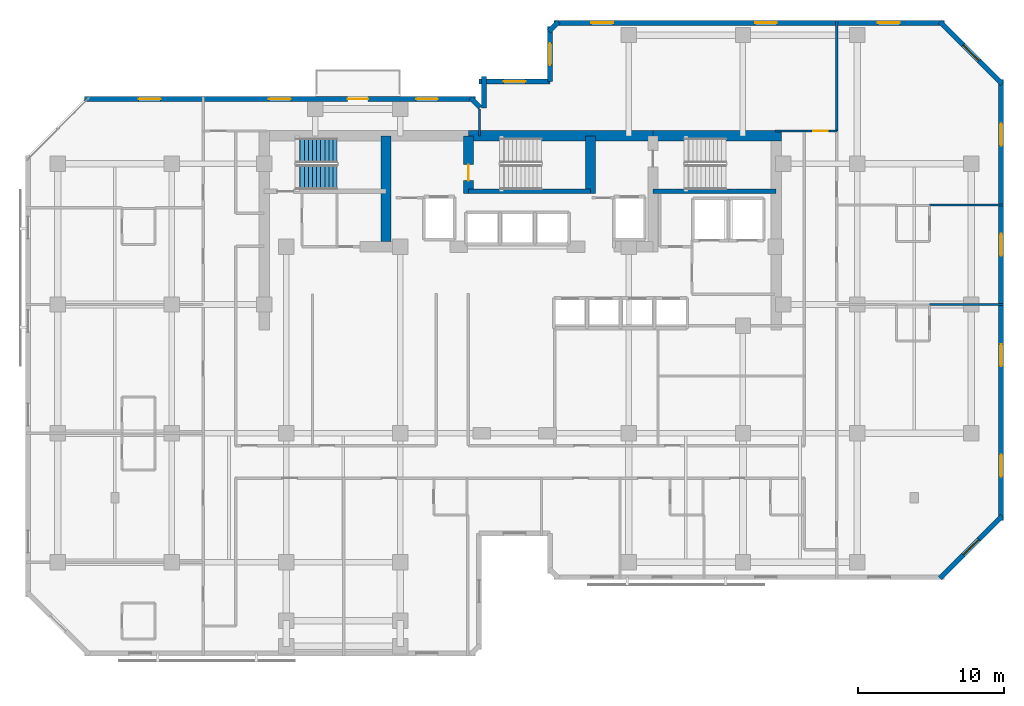
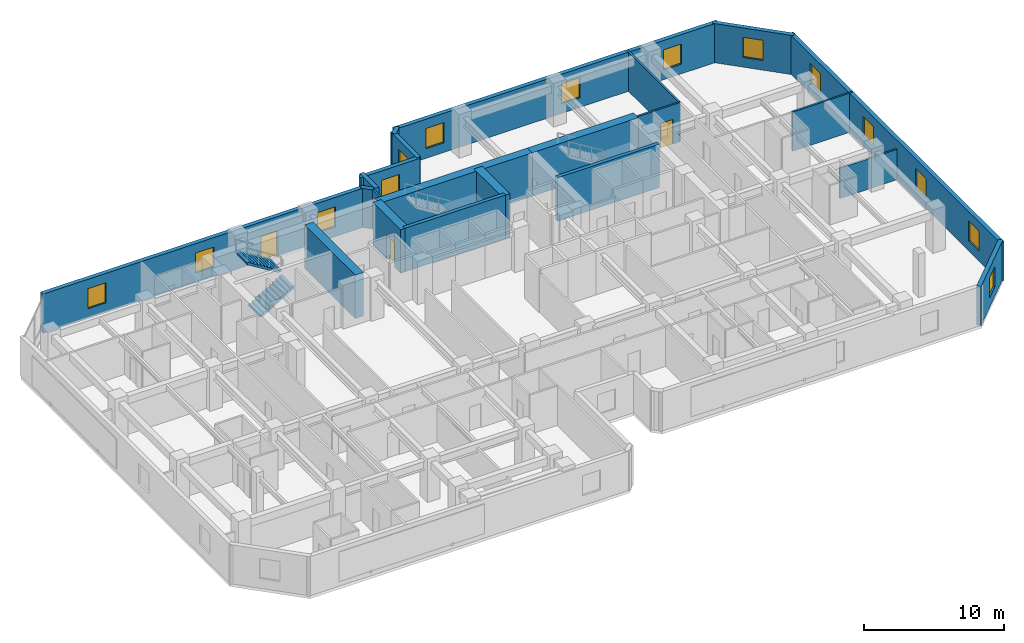
# One storey, part 8 of 11: 22 walls, 14 windows, 3 doors, 2 stair flights, 17 openings, 1 element without a shape of its own.
"""IFC4 building model written with IfcOpenShell, lengths in metres."""

from ifc_helpers import new_model, si_unit, direction, frame, frame_2d, origin, place, context, subcontext, project, spatial, polyline, rectangle, outline, extrude, material, layer, layer_set, type_object, element, fill, aggregate, save


model = new_model("IFC4")

# Units and contexts
model_context = context("Model", 3, precision=1e-05, world=origin(), true_north=direction((0.0, 1.0)))
body_context = subcontext(model_context, "Body", "Model", "MODEL_VIEW")
ifc_project = project(units=[si_unit("LENGTHUNIT", "METRE"), si_unit("AREAUNIT", "SQUARE_METRE"), si_unit("VOLUMEUNIT", "CUBIC_METRE"), si_unit("PLANEANGLEUNIT", "RADIAN"), si_unit("MASSUNIT", "GRAM", prefix="KILO")], contexts=[model_context])

# Site, building, storey
site_placement = place(None, origin())
site = spatial("IfcSite", under=ifc_project, at=site_placement, CompositionType="ELEMENT")
building_placement = place(site_placement, origin())
building = spatial("IfcBuilding", under=site, at=building_placement, Name="Kestravale Grand Hotel", CompositionType="ELEMENT")
storey_placement = place(building_placement, frame((0.0, 0.0, 180.199951171875)))
storey = spatial("IfcBuildingStorey", under=building, at=storey_placement, Name="L45", CompositionType="ELEMENT", Elevation=180.199951171875)

# Walls
ifc_material_1 = material(Name="Concrete f'c 60 MPa", Category="concrete")
ifc_layer_1 = layer(ifc_material_1, 0.699951171875)
ifc_layer_set_1 = layer_set([ifc_layer_1], Name="EW-CORE-700")
wall_type_1 = type_object("IfcWallType", Name="EW-CORE-700", PredefinedType="SHEAR", material=ifc_layer_set_1)
wall_1_placement = place(storey_placement, frame((35.85009765625, 40.320068359375, 0.0), z_axis=(0.0, 0.0, 1.0), x_axis=(1.0, 0.0, 0.0)))
element("IfcWall", 1, at=wall_1_placement, inside=storey, type_object=wall_type_1, Name="L45 core shear wall N2", PredefinedType="SHEAR", context=body_context, shape_type="SweptSolid", body=[
    extrude(rectangle(XDim=12.599853515625, YDim=0.699951171875, at=frame_2d((6.2998046875, 0.0))), origin(), (0.0, 0.0, 1.0), 3.800048828125),
])
wall_2_placement = place(storey_placement, frame((48.449951171875, 40.320068359375, 0.0), z_axis=(0.0, 0.0, 1.0), x_axis=(1.0, 0.0, 0.0)))
element("IfcWall", 2, at=wall_2_placement, inside=storey, type_object=wall_type_1, Name="L45 core shear wall N3", PredefinedType="SHEAR", context=body_context, shape_type="SweptSolid", body=[
    extrude(rectangle(XDim=8.77001953125, YDim=0.699951171875, at=frame_2d((4.385009765625, 0.0))), origin(), (0.0, 0.0, 1.0), 3.800048828125),
])
wall_3_placement = place(storey_placement, frame((30.219970703125, 33.10009765625, 0.0), z_axis=(0.0, 0.0, 1.0), x_axis=(0.0, 1.0, 0.0)))
element("IfcWall", 3, at=wall_3_placement, inside=storey, type_object=wall_type_1, Name="L45 core shear wall X1", PredefinedType="SHEAR", context=body_context, shape_type="SweptSolid", body=[
    extrude(rectangle(XDim=7.219970703125, YDim=0.699951171875, at=frame_2d((3.60986328125, 0.0))), origin(), (0.0, 0.0, 1.0), 3.800048828125),
])

# Wall, opening, door
wall_4_placement = place(storey_placement, frame((35.85009765625, 36.3701171875, 0.0), z_axis=(0.0, 0.0, 1.0), x_axis=(0.0, 1.0, 0.0)))
wall_4 = element("IfcWall", 4, at=wall_4_placement, inside=storey, type_object=wall_type_1, Name="L45 core shear wall X2", PredefinedType="SHEAR", context=body_context, shape_type="SweptSolid", body=[
    extrude(rectangle(XDim=3.949951171875, YDim=0.699951171875, at=frame_2d((1.97509765625, 0.0))), origin(), (0.0, 0.0, 1.0), 3.800048828125),
])
opening_1_placement = place(wall_4_placement, frame((0.8798828125, 0.0, 0.0)))
opening_1 = element("IfcOpeningElement", 5, at=opening_1_placement, cuts=wall_4, Name="Opening D-ST-1100", PredefinedType="OPENING", context=body_context, shape_type="SweptSolid", body=[
    extrude(rectangle(XDim=1.10009765625, YDim=2.14990234375, at=frame_2d((0.550048828125, 1.074951171875))), frame((0.0, 0.35986328125, 0.0), z_axis=(0.0, -1.0, 0.0), x_axis=(1.0, 0.0, 0.0)), (0.0, 0.0, 1.0), 0.719970703125),
])
ifc_material_2 = material(Name="Galvanised 90-minute fire-rated steel stair door", Category="steel")
door_type_1 = type_object("IfcDoorType", Name="D-ST-1100", OperationType="NOTDEFINED", PredefinedType="DOOR", material=ifc_material_2)
door_1_placement = place(opening_1_placement, origin())
door_1 = element("IfcDoor", 6, at=door_1_placement, inside=storey, type_object=door_type_1, Name="L45 Stair ST-2 FSAE fire door", OperationType="SINGLE_SWING_RIGHT", OverallHeight=2.14990234375, OverallWidth=1.10009765625, PredefinedType="DOOR", context=body_context, shape_type="SweptSolid", body=[
    extrude(rectangle(XDim=1.10009765625, YDim=2.14990234375, at=frame_2d((0.550048828125, 1.074951171875))), frame((0.0, 0.02490234375, 0.0), z_axis=(0.0, -1.0, 0.0), x_axis=(1.0, 0.0, 0.0)), (0.0, 0.0, 1.0), 0.050048828125),
])
fill(opening_1, door_1)

# Wall
wall_5_placement = place(storey_placement, frame((44.179931640625, 36.3701171875, 0.0), z_axis=(0.0, 0.0, 1.0), x_axis=(0.0, 1.0, 0.0)))
element("IfcWall", 7, at=wall_5_placement, inside=storey, type_object=wall_type_1, Name="L45 core shear wall X3", PredefinedType="SHEAR", context=body_context, shape_type="SweptSolid", body=[
    extrude(rectangle(XDim=3.949951171875, YDim=0.699951171875, at=frame_2d((1.97509765625, 0.0))), origin(), (0.0, 0.0, 1.0), 3.800048828125),
])

# Wall, opening, window
ifc_material_3 = material(Name="Precast concrete f'c 45 MPa", Category="concrete")
ifc_layer_2 = layer(ifc_material_3, 0.340087890625)
ifc_layer_set_2 = layer_set([ifc_layer_2], Name="EW-PREC-340")
wall_type_2 = type_object("IfcWallType", Name="EW-PREC-340", PredefinedType="SOLIDWALL", material=ifc_layer_set_2)
wall_6_placement = place(storey_placement, frame((68.051513671875, 10.091796875, 0.0), z_axis=(0.0, 0.0, 1.0), x_axis=(0.707106781187, 0.707106781187, 0.0)))
wall_6 = element("IfcWall", 8, at=wall_6_placement, inside=storey, type_object=wall_type_2, Name="L45 fluted precast facade wall 8", PredefinedType="SOLIDWALL", context=body_context, shape_type="SweptSolid", body=[
    extrude(rectangle(XDim=6.019775390625, YDim=0.340087890625, at=frame_2d((3.009765625, 0.0))), origin(), (0.0, 0.0, 1.0), 3.420166015625),
])
opening_2_placement = place(wall_6_placement, frame((2.260009765625, 0.0, 0.85009765625)))
opening_2 = element("IfcOpeningElement", 9, at=opening_2_placement, cuts=wall_6, Name="Opening W-GUEST-1500", PredefinedType="OPENING", context=body_context, shape_type="SweptSolid", body=[
    extrude(rectangle(XDim=1.5, YDim=1.75, at=frame_2d((0.75, 0.875))), frame((0.0, 0.179931640625, 0.0), z_axis=(0.0, -1.0, 0.0), x_axis=(1.0, 0.0, 0.0)), (0.0, 0.0, 1.0), 0.360107421875),
])
ifc_material_4 = material(Name="Insulated low-E double glazing in aluminium frame", Category="aluminium")
window_type = type_object("IfcWindowType", Name="W-GUEST-1500", PartitioningType="SINGLE_PANEL", PredefinedType="WINDOW", material=ifc_material_4)
window_1_placement = place(opening_2_placement, origin())
window_1 = element("IfcWindow", 10, at=window_1_placement, inside=storey, type_object=window_type, Name="L45 exterior window 8.1", OverallHeight=1.75, OverallWidth=1.5, PartitioningType="SINGLE_PANEL", PredefinedType="WINDOW", context=body_context, shape_type="SweptSolid", body=[
    extrude(rectangle(XDim=1.5, YDim=1.75, at=frame_2d((0.75, 0.875))), frame((0.0, 0.030029296875, 0.0), z_axis=(0.0, -1.0, 0.0), x_axis=(1.0, 0.0, 0.0)), (0.0, 0.0, 1.0), 0.06005859375),
])
fill(opening_2, window_1)

# Wall, openings, windows
wall_7_placement = place(storey_placement, frame((72.22998046875, 14.030029296875, 0.0), z_axis=(0.0, 0.0, 1.0), x_axis=(0.0, 1.0, 0.0)))
wall_7 = element("IfcWall", 11, at=wall_7_placement, inside=storey, type_object=wall_type_2, Name="L45 fluted precast facade wall 9", PredefinedType="SOLIDWALL", context=body_context, shape_type="SweptSolid", body=[
    extrude(rectangle(XDim=30.139892578125, YDim=0.340087890625, at=frame_2d((15.06982421875, 0.0))), origin(), (0.0, 0.0, 1.0), 3.420166015625),
])
opening_3_placement = place(wall_7_placement, frame((3.017578125, 0.0, 0.85009765625)))
opening_3 = element("IfcOpeningElement", 12, at=opening_3_placement, cuts=wall_7, Name="Opening W-GUEST-1500", PredefinedType="OPENING", context=body_context, shape_type="SweptSolid", body=[
    extrude(rectangle(XDim=1.5, YDim=1.75, at=frame_2d((0.75, 0.875))), frame((0.0, 0.179931640625, 0.0), z_axis=(0.0, -1.0, 0.0), x_axis=(1.0, 0.0, 0.0)), (0.0, 0.0, 1.0), 0.360107421875),
])
opening_4_placement = place(wall_7_placement, frame((10.552490234375, 0.0, 0.85009765625)))
opening_4 = element("IfcOpeningElement", 13, at=opening_4_placement, cuts=wall_7, Name="Opening W-GUEST-1500", PredefinedType="OPENING", context=body_context, shape_type="SweptSolid", body=[
    extrude(rectangle(XDim=1.5, YDim=1.75, at=frame_2d((0.75, 0.875))), frame((0.0, 0.179931640625, 0.0), z_axis=(0.0, -1.0, 0.0), x_axis=(1.0, 0.0, 0.0)), (0.0, 0.0, 1.0), 0.360107421875),
])
opening_5_placement = place(wall_7_placement, frame((18.08740234375, 0.0, 0.85009765625)))
opening_5 = element("IfcOpeningElement", 14, at=opening_5_placement, cuts=wall_7, Name="Opening W-GUEST-1500", PredefinedType="OPENING", context=body_context, shape_type="SweptSolid", body=[
    extrude(rectangle(XDim=1.5, YDim=1.75, at=frame_2d((0.75, 0.875))), frame((0.0, 0.179931640625, 0.0), z_axis=(0.0, -1.0, 0.0), x_axis=(1.0, 0.0, 0.0)), (0.0, 0.0, 1.0), 0.360107421875),
])
opening_6_placement = place(wall_7_placement, frame((25.62255859375, 0.0, 0.85009765625)))
opening_6 = element("IfcOpeningElement", 15, at=opening_6_placement, cuts=wall_7, Name="Opening W-GUEST-1500", PredefinedType="OPENING", context=body_context, shape_type="SweptSolid", body=[
    extrude(rectangle(XDim=1.5, YDim=1.75, at=frame_2d((0.75, 0.875))), frame((0.0, 0.179931640625, 0.0), z_axis=(0.0, -1.0, 0.0), x_axis=(1.0, 0.0, 0.0)), (0.0, 0.0, 1.0), 0.360107421875),
])
window_2_placement = place(opening_3_placement, origin())
window_2 = element("IfcWindow", 16, at=window_2_placement, inside=storey, type_object=window_type, Name="L45 exterior window 9.1", OverallHeight=1.75, OverallWidth=1.5, PartitioningType="SINGLE_PANEL", PredefinedType="WINDOW", context=body_context, shape_type="SweptSolid", body=[
    extrude(rectangle(XDim=1.5, YDim=1.75, at=frame_2d((0.75, 0.875))), frame((0.0, 0.030029296875, 0.0), z_axis=(0.0, -1.0, 0.0), x_axis=(1.0, 0.0, 0.0)), (0.0, 0.0, 1.0), 0.06005859375),
])
fill(opening_3, window_2)
window_3_placement = place(opening_4_placement, origin())
window_3 = element("IfcWindow", 17, at=window_3_placement, inside=storey, type_object=window_type, Name="L45 exterior window 9.2", OverallHeight=1.75, OverallWidth=1.5, PartitioningType="SINGLE_PANEL", PredefinedType="WINDOW", context=body_context, shape_type="SweptSolid", body=[
    extrude(rectangle(XDim=1.5, YDim=1.75, at=frame_2d((0.75, 0.875))), frame((0.0, 0.030029296875, 0.0), z_axis=(0.0, -1.0, 0.0), x_axis=(1.0, 0.0, 0.0)), (0.0, 0.0, 1.0), 0.06005859375),
])
fill(opening_4, window_3)
window_4_placement = place(opening_5_placement, origin())
window_4 = element("IfcWindow", 18, at=window_4_placement, inside=storey, type_object=window_type, Name="L45 exterior window 9.3", OverallHeight=1.75, OverallWidth=1.5, PartitioningType="SINGLE_PANEL", PredefinedType="WINDOW", context=body_context, shape_type="SweptSolid", body=[
    extrude(rectangle(XDim=1.5, YDim=1.75, at=frame_2d((0.75, 0.875))), frame((0.0, 0.030029296875, 0.0), z_axis=(0.0, -1.0, 0.0), x_axis=(1.0, 0.0, 0.0)), (0.0, 0.0, 1.0), 0.06005859375),
])
fill(opening_5, window_4)
window_5_placement = place(opening_6_placement, origin())
window_5 = element("IfcWindow", 19, at=window_5_placement, inside=storey, type_object=window_type, Name="L45 exterior window 9.4", OverallHeight=1.75, OverallWidth=1.5, PartitioningType="SINGLE_PANEL", PredefinedType="WINDOW", context=body_context, shape_type="SweptSolid", body=[
    extrude(rectangle(XDim=1.5, YDim=1.75, at=frame_2d((0.75, 0.875))), frame((0.0, 0.030029296875, 0.0), z_axis=(0.0, -1.0, 0.0), x_axis=(1.0, 0.0, 0.0)), (0.0, 0.0, 1.0), 0.06005859375),
])
fill(opening_6, window_5)

# Wall, opening, window
wall_8_placement = place(storey_placement, frame((72.30810546875, 43.8515625, 0.0), z_axis=(0.0, 0.0, 1.0), x_axis=(-0.707106781187, 0.707106781187, 0.0)))
wall_8 = element("IfcWall", 20, at=wall_8_placement, inside=storey, type_object=wall_type_2, Name="L45 fluted precast facade wall 10", PredefinedType="SOLIDWALL", context=body_context, shape_type="SweptSolid", body=[
    extrude(rectangle(XDim=6.019775390625, YDim=0.340087890625, at=frame_2d((3.009765625, 0.0))), origin(), (0.0, 0.0, 1.0), 3.420166015625),
])
opening_7_placement = place(wall_8_placement, frame((2.260009765625, 0.0, 0.85009765625)))
opening_7 = element("IfcOpeningElement", 21, at=opening_7_placement, cuts=wall_8, Name="Opening W-GUEST-1500", PredefinedType="OPENING", context=body_context, shape_type="SweptSolid", body=[
    extrude(rectangle(XDim=1.5, YDim=1.75, at=frame_2d((0.75, 0.875))), frame((0.0, 0.179931640625, 0.0), z_axis=(0.0, -1.0, 0.0), x_axis=(1.0, 0.0, 0.0)), (0.0, 0.0, 1.0), 0.360107421875),
])
window_6_placement = place(opening_7_placement, origin())
window_6 = element("IfcWindow", 22, at=window_6_placement, inside=storey, type_object=window_type, Name="L45 exterior window 10.1", OverallHeight=1.75, OverallWidth=1.5, PartitioningType="SINGLE_PANEL", PredefinedType="WINDOW", context=body_context, shape_type="SweptSolid", body=[
    extrude(rectangle(XDim=1.5, YDim=1.75, at=frame_2d((0.75, 0.875))), frame((0.0, 0.030029296875, 0.0), z_axis=(0.0, -1.0, 0.0), x_axis=(1.0, 0.0, 0.0)), (0.0, 0.0, 1.0), 0.06005859375),
])
fill(opening_7, window_6)

# Wall, openings, windows
wall_9_placement = place(storey_placement, frame((68.3701171875, 48.030029296875, 0.0), z_axis=(0.0, 0.0, 1.0), x_axis=(-1.0, 0.0, 0.0)))
wall_9 = element("IfcWall", 23, at=wall_9_placement, inside=storey, type_object=wall_type_2, Name="L45 fluted precast facade wall 11", PredefinedType="SOLIDWALL", context=body_context, shape_type="SweptSolid", body=[
    extrude(rectangle(XDim=26.690185546875, YDim=0.340087890625, at=frame_2d((13.34521484375, 0.0))), origin(), (0.0, 0.0, 1.0), 3.420166015625),
])
opening_8_placement = place(wall_9_placement, frame((3.04833984375, 0.0, 0.85009765625)))
opening_8 = element("IfcOpeningElement", 24, at=opening_8_placement, cuts=wall_9, Name="Opening W-GUEST-1500", PredefinedType="OPENING", context=body_context, shape_type="SweptSolid", body=[
    extrude(rectangle(XDim=1.5, YDim=1.75, at=frame_2d((0.75, 0.875))), frame((0.0, 0.179931640625, 0.0), z_axis=(0.0, -1.0, 0.0), x_axis=(1.0, 0.0, 0.0)), (0.0, 0.0, 1.0), 0.360107421875),
])
opening_9_placement = place(wall_9_placement, frame((11.445068359375, 0.0, 0.85009765625)))
opening_9 = element("IfcOpeningElement", 25, at=opening_9_placement, cuts=wall_9, Name="Opening W-GUEST-1500", PredefinedType="OPENING", context=body_context, shape_type="SweptSolid", body=[
    extrude(rectangle(XDim=1.5, YDim=1.75, at=frame_2d((0.75, 0.875))), frame((0.0, 0.179931640625, 0.0), z_axis=(0.0, -1.0, 0.0), x_axis=(1.0, 0.0, 0.0)), (0.0, 0.0, 1.0), 0.360107421875),
])
opening_10_placement = place(wall_9_placement, frame((22.6416015625, 0.0, 0.85009765625)))
opening_10 = element("IfcOpeningElement", 26, at=opening_10_placement, cuts=wall_9, Name="Opening W-GUEST-1500", PredefinedType="OPENING", context=body_context, shape_type="SweptSolid", body=[
    extrude(rectangle(XDim=1.5, YDim=1.75, at=frame_2d((0.75, 0.875))), frame((0.0, 0.179931640625, 0.0), z_axis=(0.0, -1.0, 0.0), x_axis=(1.0, 0.0, 0.0)), (0.0, 0.0, 1.0), 0.360107421875),
])
window_7_placement = place(opening_8_placement, origin())
window_7 = element("IfcWindow", 27, at=window_7_placement, inside=storey, type_object=window_type, Name="L45 exterior window 11.1", OverallHeight=1.75, OverallWidth=1.5, PartitioningType="SINGLE_PANEL", PredefinedType="WINDOW", context=body_context, shape_type="SweptSolid", body=[
    extrude(rectangle(XDim=1.5, YDim=1.75, at=frame_2d((0.75, 0.875))), frame((0.0, 0.030029296875, 0.0), z_axis=(0.0, -1.0, 0.0), x_axis=(1.0, 0.0, 0.0)), (0.0, 0.0, 1.0), 0.06005859375),
])
fill(opening_8, window_7)
window_8_placement = place(opening_9_placement, origin())
window_8 = element("IfcWindow", 28, at=window_8_placement, inside=storey, type_object=window_type, Name="L45 exterior window 11.2", OverallHeight=1.75, OverallWidth=1.5, PartitioningType="SINGLE_PANEL", PredefinedType="WINDOW", context=body_context, shape_type="SweptSolid", body=[
    extrude(rectangle(XDim=1.5, YDim=1.75, at=frame_2d((0.75, 0.875))), frame((0.0, 0.030029296875, 0.0), z_axis=(0.0, -1.0, 0.0), x_axis=(1.0, 0.0, 0.0)), (0.0, 0.0, 1.0), 0.06005859375),
])
fill(opening_9, window_8)
window_9_placement = place(opening_10_placement, origin())
window_9 = element("IfcWindow", 29, at=window_9_placement, inside=storey, type_object=window_type, Name="L45 exterior window 11.3", OverallHeight=1.75, OverallWidth=1.5, PartitioningType="SINGLE_PANEL", PredefinedType="WINDOW", context=body_context, shape_type="SweptSolid", body=[
    extrude(rectangle(XDim=1.5, YDim=1.75, at=frame_2d((0.75, 0.875))), frame((0.0, 0.030029296875, 0.0), z_axis=(0.0, -1.0, 0.0), x_axis=(1.0, 0.0, 0.0)), (0.0, 0.0, 1.0), 0.06005859375),
])
fill(opening_10, window_9)

# Wall
wall_10_placement = place(storey_placement, frame((41.99853515625, 48.108154296875, 0.0), z_axis=(0.0, 0.0, 1.0), x_axis=(-0.707106781187, -0.707106781187, 0.0)))
element("IfcWall", 30, at=wall_10_placement, inside=storey, type_object=wall_type_2, Name="L45 fluted precast facade wall 12", PredefinedType="SOLIDWALL", context=body_context, shape_type="SweptSolid", body=[
    extrude(rectangle(XDim=0.9287109375, YDim=0.340087890625, at=frame_2d((0.46435546875, 0.0))), origin(), (0.0, 0.0, 1.0), 3.420166015625),
])

# Wall, opening, window
wall_11_placement = place(storey_placement, frame((41.419921875, 47.77001953125, 0.0), z_axis=(0.0, 0.0, 1.0), x_axis=(0.0, -1.0, 0.0)))
wall_11 = element("IfcWall", 31, at=wall_11_placement, inside=storey, type_object=wall_type_2, Name="L45 fluted precast facade wall 13", PredefinedType="SOLIDWALL", context=body_context, shape_type="SweptSolid", body=[
    extrude(rectangle(XDim=3.739990234375, YDim=0.340087890625, at=frame_2d((1.8701171875, 0.0))), origin(), (0.0, 0.0, 1.0), 3.420166015625),
])
opening_11_placement = place(wall_11_placement, frame((1.1201171875, 0.0, 0.85009765625)))
opening_11 = element("IfcOpeningElement", 32, at=opening_11_placement, cuts=wall_11, Name="Opening W-GUEST-1500", PredefinedType="OPENING", context=body_context, shape_type="SweptSolid", body=[
    extrude(rectangle(XDim=1.5, YDim=1.75, at=frame_2d((0.75, 0.875))), frame((0.0, 0.179931640625, 0.0), z_axis=(0.0, -1.0, 0.0), x_axis=(1.0, 0.0, 0.0)), (0.0, 0.0, 1.0), 0.360107421875),
])
window_10_placement = place(opening_11_placement, origin())
window_10 = element("IfcWindow", 33, at=window_10_placement, inside=storey, type_object=window_type, Name="L45 exterior window 13.1", OverallHeight=1.75, OverallWidth=1.5, PartitioningType="SINGLE_PANEL", PredefinedType="WINDOW", context=body_context, shape_type="SweptSolid", body=[
    extrude(rectangle(XDim=1.5, YDim=1.75, at=frame_2d((0.75, 0.875))), frame((0.0, 0.030029296875, 0.0), z_axis=(0.0, -1.0, 0.0), x_axis=(1.0, 0.0, 0.0)), (0.0, 0.0, 1.0), 0.06005859375),
])
fill(opening_11, window_10)

wall_12_placement = place(storey_placement, frame((41.419921875, 44.030029296875, 0.0), z_axis=(0.0, 0.0, 1.0), x_axis=(-1.0, 0.0, 0.0)))
wall_12 = element("IfcWall", 34, at=wall_12_placement, inside=storey, type_object=wall_type_2, Name="L45 fluted precast facade wall 14", PredefinedType="SOLIDWALL", context=body_context, shape_type="SweptSolid", body=[
    extrude(rectangle(XDim=4.83984375, YDim=0.340087890625, at=frame_2d((2.419921875, 0.0))), origin(), (0.0, 0.0, 1.0), 3.420166015625),
])
opening_12_placement = place(wall_12_placement, frame((1.669921875, 0.0, 0.85009765625)))
opening_12 = element("IfcOpeningElement", 35, at=opening_12_placement, cuts=wall_12, Name="Opening W-GUEST-1500", PredefinedType="OPENING", context=body_context, shape_type="SweptSolid", body=[
    extrude(rectangle(XDim=1.5, YDim=1.75, at=frame_2d((0.75, 0.875))), frame((0.0, 0.179931640625, 0.0), z_axis=(0.0, -1.0, 0.0), x_axis=(1.0, 0.0, 0.0)), (0.0, 0.0, 1.0), 0.360107421875),
])
window_11_placement = place(opening_12_placement, origin())
window_11 = element("IfcWindow", 36, at=window_11_placement, inside=storey, type_object=window_type, Name="L45 exterior window 14.1", OverallHeight=1.75, OverallWidth=1.5, PartitioningType="SINGLE_PANEL", PredefinedType="WINDOW", context=body_context, shape_type="SweptSolid", body=[
    extrude(rectangle(XDim=1.5, YDim=1.75, at=frame_2d((0.75, 0.875))), frame((0.0, 0.030029296875, 0.0), z_axis=(0.0, -1.0, 0.0), x_axis=(1.0, 0.0, 0.0)), (0.0, 0.0, 1.0), 0.06005859375),
])
fill(opening_12, window_11)

# Walls
wall_13_placement = place(storey_placement, frame((36.919921875, 44.3701171875, 0.0), z_axis=(0.0, 0.0, 1.0), x_axis=(0.0, -1.0, 0.0)))
element("IfcWall", 37, at=wall_13_placement, inside=storey, type_object=wall_type_2, Name="L45 fluted precast facade wall 15", PredefinedType="SOLIDWALL", context=body_context, shape_type="SweptSolid", body=[
    extrude(rectangle(XDim=2.14013671875, YDim=0.340087890625, at=frame_2d((1.070068359375, 0.0))), origin(), (0.0, 0.0, 1.0), 3.420166015625),
])
wall_14_placement = place(storey_placement, frame((36.658203125, 42.25146484375, 0.0), z_axis=(0.0, 0.0, 1.0), x_axis=(-0.707106781187, 0.707106781187, 0.0)))
element("IfcWall", 38, at=wall_14_placement, inside=storey, type_object=wall_type_2, Name="L45 fluted precast facade wall 16", PredefinedType="SOLIDWALL", context=body_context, shape_type="SweptSolid", body=[
    extrude(rectangle(XDim=0.9287109375, YDim=0.340087890625, at=frame_2d((0.46435546875, 0.0))), origin(), (0.0, 0.0, 1.0), 3.420166015625),
])

# Wall, openings, door, windows
wall_15_placement = place(storey_placement, frame((36.320068359375, 42.830078125, 0.0), z_axis=(0.0, 0.0, 1.0), x_axis=(-1.0, 0.0, 0.0)))
wall_15 = element("IfcWall", 39, at=wall_15_placement, inside=storey, type_object=wall_type_2, Name="L45 fluted precast facade wall 17", PredefinedType="SOLIDWALL", context=body_context, shape_type="SweptSolid", body=[
    extrude(rectangle(XDim=26.690185546875, YDim=0.340087890625, at=frame_2d((13.34521484375, 0.0))), origin(), (0.0, 0.0, 1.0), 3.420166015625),
])
opening_13_placement = place(wall_15_placement, frame((7.320068359375, 0.0, 0.0)))
opening_13 = element("IfcOpeningElement", 40, at=opening_13_placement, cuts=wall_15, Name="Opening D-TERR-1400", PredefinedType="OPENING", context=body_context, shape_type="SweptSolid", body=[
    extrude(rectangle(XDim=1.39990234375, YDim=2.14990234375, at=frame_2d((0.699951171875, 1.074951171875))), frame((0.0, 0.179931640625, 0.0), z_axis=(0.0, -1.0, 0.0), x_axis=(1.0, 0.0, 0.0)), (0.0, 0.0, 1.0), 0.360107421875),
])
opening_14_placement = place(wall_15_placement, frame((2.54833984375, 0.0, 0.85009765625)))
opening_14 = element("IfcOpeningElement", 41, at=opening_14_placement, cuts=wall_15, Name="Opening W-GUEST-1500", PredefinedType="OPENING", context=body_context, shape_type="SweptSolid", body=[
    extrude(rectangle(XDim=1.5, YDim=1.75, at=frame_2d((0.75, 0.875))), frame((0.0, 0.179931640625, 0.0), z_axis=(0.0, -1.0, 0.0), x_axis=(1.0, 0.0, 0.0)), (0.0, 0.0, 1.0), 0.360107421875),
])
opening_15_placement = place(wall_15_placement, frame((12.594970703125, 0.0, 0.85009765625)))
opening_15 = element("IfcOpeningElement", 42, at=opening_15_placement, cuts=wall_15, Name="Opening W-GUEST-1500", PredefinedType="OPENING", context=body_context, shape_type="SweptSolid", body=[
    extrude(rectangle(XDim=1.5, YDim=1.75, at=frame_2d((0.75, 0.875))), frame((0.0, 0.179931640625, 0.0), z_axis=(0.0, -1.0, 0.0), x_axis=(1.0, 0.0, 0.0)), (0.0, 0.0, 1.0), 0.360107421875),
])
opening_16_placement = place(wall_15_placement, frame((21.49169921875, 0.0, 0.85009765625)))
opening_16 = element("IfcOpeningElement", 43, at=opening_16_placement, cuts=wall_15, Name="Opening W-GUEST-1500", PredefinedType="OPENING", context=body_context, shape_type="SweptSolid", body=[
    extrude(rectangle(XDim=1.5, YDim=1.75, at=frame_2d((0.75, 0.875))), frame((0.0, 0.179931640625, 0.0), z_axis=(0.0, -1.0, 0.0), x_axis=(1.0, 0.0, 0.0)), (0.0, 0.0, 1.0), 0.360107421875),
])
ifc_material_5 = material(Name="Insulated glazed champagne-bronze aluminium door", Category="aluminium")
door_type_2 = type_object("IfcDoorType", Name="D-TERR-1400", OperationType="NOTDEFINED", PredefinedType="DOOR", material=ifc_material_5)
door_2_placement = place(opening_13_placement, origin())
door_2 = element("IfcDoor", 44, at=door_2_placement, inside=storey, type_object=door_type_2, Name="L45 outdoor garden terrace door", OperationType="DOUBLE_DOOR_SINGLE_SWING", OverallHeight=2.14990234375, OverallWidth=1.39990234375, PredefinedType="DOOR", context=body_context, shape_type="SweptSolid", body=[
    extrude(rectangle(XDim=1.39990234375, YDim=2.14990234375, at=frame_2d((0.699951171875, 1.074951171875))), frame((0.0, 0.02490234375, 0.0), z_axis=(0.0, -1.0, 0.0), x_axis=(1.0, 0.0, 0.0)), (0.0, 0.0, 1.0), 0.050048828125),
])
fill(opening_13, door_2)
window_12_placement = place(opening_14_placement, origin())
window_12 = element("IfcWindow", 45, at=window_12_placement, inside=storey, type_object=window_type, Name="L45 exterior window 17.1", OverallHeight=1.75, OverallWidth=1.5, PartitioningType="SINGLE_PANEL", PredefinedType="WINDOW", context=body_context, shape_type="SweptSolid", body=[
    extrude(rectangle(XDim=1.5, YDim=1.75, at=frame_2d((0.75, 0.875))), frame((0.0, 0.030029296875, 0.0), z_axis=(0.0, -1.0, 0.0), x_axis=(1.0, 0.0, 0.0)), (0.0, 0.0, 1.0), 0.06005859375),
])
fill(opening_14, window_12)
window_13_placement = place(opening_15_placement, origin())
window_13 = element("IfcWindow", 46, at=window_13_placement, inside=storey, type_object=window_type, Name="L45 exterior window 17.2", OverallHeight=1.75, OverallWidth=1.5, PartitioningType="SINGLE_PANEL", PredefinedType="WINDOW", context=body_context, shape_type="SweptSolid", body=[
    extrude(rectangle(XDim=1.5, YDim=1.75, at=frame_2d((0.75, 0.875))), frame((0.0, 0.030029296875, 0.0), z_axis=(0.0, -1.0, 0.0), x_axis=(1.0, 0.0, 0.0)), (0.0, 0.0, 1.0), 0.06005859375),
])
fill(opening_15, window_13)
window_14_placement = place(opening_16_placement, origin())
window_14 = element("IfcWindow", 47, at=window_14_placement, inside=storey, type_object=window_type, Name="L45 exterior window 17.3", OverallHeight=1.75, OverallWidth=1.5, PartitioningType="SINGLE_PANEL", PredefinedType="WINDOW", context=body_context, shape_type="SweptSolid", body=[
    extrude(rectangle(XDim=1.5, YDim=1.75, at=frame_2d((0.75, 0.875))), frame((0.0, 0.030029296875, 0.0), z_axis=(0.0, -1.0, 0.0), x_axis=(1.0, 0.0, 0.0)), (0.0, 0.0, 1.0), 0.06005859375),
])
fill(opening_16, window_14)

# Walls
ifc_material_6 = material(Name="Concrete f'c 45 MPa", Category="concrete")
ifc_layer_3 = layer(ifc_material_6, 0.300048828125)
ifc_layer_set_3 = layer_set([ifc_layer_3], Name="EW-STAIR-300")
wall_type_3 = type_object("IfcWallType", Name="EW-STAIR-300", PredefinedType="SHEAR", material=ifc_layer_set_3)
wall_16_placement = place(storey_placement, frame((35.85009765625, 36.52001953125, 0.0), z_axis=(0.0, 0.0, 1.0), x_axis=(1.0, 0.0, 0.0)))
element("IfcWall", 48, at=wall_16_placement, inside=storey, type_object=wall_type_3, Name="L45 stair enclosure shear wall SST2", PredefinedType="SHEAR", context=body_context, shape_type="SweptSolid", body=[
    extrude(rectangle(XDim=8.329833984375, YDim=0.300048828125, at=frame_2d((4.1650390625, 0.0))), origin(), (0.0, 0.0, 1.0), 3.800048828125),
])
wall_17_placement = place(storey_placement, frame((48.449951171875, 36.52001953125, 0.0), z_axis=(0.0, 0.0, 1.0), x_axis=(1.0, 0.0, 0.0)))
element("IfcWall", 49, at=wall_17_placement, inside=storey, type_object=wall_type_3, Name="L45 stair enclosure shear wall SST3", PredefinedType="SHEAR", context=body_context, shape_type="SweptSolid", body=[
    extrude(rectangle(XDim=8.420166015625, YDim=0.300048828125, at=frame_2d((4.2099609375, 0.0))), origin(), (0.0, 0.0, 1.0), 3.800048828125),
])

# Wall, opening, door
ifc_material_7 = material(Name="Double-stud STC 52 acoustic demising partition", Category="other")
ifc_layer_4 = layer(ifc_material_7, 0.14990234375)
ifc_layer_set_4 = layer_set([ifc_layer_4], Name="IW-UNIT-150")
wall_type_4 = type_object("IfcWallType", Name="IW-UNIT-150", PredefinedType="PARTITIONING", material=ifc_layer_set_4)
wall_18_placement = place(storey_placement, frame((56.800048828125, 40.64990234375, 0.0), z_axis=(0.0, 0.0, 1.0), x_axis=(1.0, 0.0, 0.0)))
wall_18 = element("IfcWall", 50, at=wall_18_placement, inside=storey, type_object=wall_type_4, Name="W-L45-SE-N", PredefinedType="PARTITIONING", context=body_context, shape_type="SweptSolid", body=[
    extrude(rectangle(XDim=4.2099609375, YDim=0.14990234375, at=frame_2d((2.10498046875, 0.0))), origin(), (0.0, 0.0, 1.0), 3.420166015625),
])
opening_17_placement = place(wall_18_placement, frame((2.60009765625, 0.0, 0.0)))
opening_17 = element("IfcOpeningElement", 51, at=opening_17_placement, cuts=wall_18, Name="Opening D-GUEST-1000", PredefinedType="OPENING", context=body_context, shape_type="SweptSolid", body=[
    extrude(rectangle(XDim=1.0, YDim=2.14990234375, at=frame_2d((0.5, 1.074951171875))), frame((0.0, 0.0849609375, 0.0), z_axis=(0.0, -1.0, 0.0), x_axis=(1.0, 0.0, 0.0)), (0.0, 0.0, 1.0), 0.169921875),
])
ifc_material_8 = material(Name="Accessible walnut veneer hotel entrance fire door", Category="wood")
door_type_3 = type_object("IfcDoorType", Name="D-GUEST-1000", OperationType="NOTDEFINED", PredefinedType="DOOR", material=ifc_material_8)
door_3_placement = place(opening_17_placement, origin())
door_3 = element("IfcDoor", 52, at=door_3_placement, inside=storey, type_object=door_type_3, Name="L45 NE Gallery Door", OperationType="SINGLE_SWING_LEFT", OverallHeight=2.14990234375, OverallWidth=1.0, PredefinedType="DOOR", context=body_context, shape_type="SweptSolid", body=[
    extrude(rectangle(XDim=1.0, YDim=2.14990234375, at=frame_2d((0.5, 1.074951171875))), frame((0.0, 0.02490234375, 0.0), z_axis=(0.0, -1.0, 0.0), x_axis=(1.0, 0.0, 0.0)), (0.0, 0.0, 1.0), 0.050048828125),
])
fill(opening_17, door_3)

# Walls
wall_19_placement = place(storey_placement, frame((36.60009765625, 40.320068359375, 0.0), z_axis=(0.0, 0.0, 1.0), x_axis=(0.0, 1.0, 0.0)))
element("IfcWall", 53, at=wall_19_placement, inside=storey, type_object=wall_type_4, Name="W-L45-NGM", PredefinedType="PARTITIONING", context=body_context, shape_type="SweptSolid", body=[
    extrude(rectangle(XDim=1.844970703125, YDim=0.14990234375, at=frame_2d((0.92236328125, 0.0))), origin(), (0.0, 0.0, 1.0), 3.420166015625),
])
wall_20_placement = place(storey_placement, frame((61.010009765625, 40.64990234375, 0.0), z_axis=(0.0, 0.0, 1.0), x_axis=(0.0, 1.0, 0.0)))
element("IfcWall", 54, at=wall_20_placement, inside=storey, type_object=wall_type_4, Name="W-L45-NGE-E", PredefinedType="PARTITIONING", context=body_context, shape_type="SweptSolid", body=[
    extrude(rectangle(XDim=7.530029296875, YDim=0.14990234375, at=frame_2d((3.76513671875, 0.0))), origin(), (0.0, 0.0, 1.0), 3.420166015625),
])
wall_21_placement = place(storey_placement, frame((67.35009765625, 28.800048828125, 0.0), z_axis=(0.0, 0.0, 1.0), x_axis=(1.0, 0.0, 0.0)))
element("IfcWall", 55, at=wall_21_placement, inside=storey, type_object=wall_type_4, Name="W-L45-EW-1", PredefinedType="PARTITIONING", context=body_context, shape_type="SweptSolid", body=[
    extrude(rectangle(XDim=5.02978515625, YDim=0.14990234375, at=frame_2d((2.514892578125, 0.0))), origin(), (0.0, 0.0, 1.0), 2.64794921875),
])
wall_22_placement = place(storey_placement, frame((67.35009765625, 35.60009765625, 0.0), z_axis=(0.0, 0.0, 1.0), x_axis=(1.0, 0.0, 0.0)))
element("IfcWall", 56, at=wall_22_placement, inside=storey, type_object=wall_type_4, Name="W-L45-EW-2", PredefinedType="PARTITIONING", context=body_context, shape_type="SweptSolid", body=[
    extrude(rectangle(XDim=5.02978515625, YDim=0.14990234375, at=frame_2d((2.514892578125, 0.0))), origin(), (0.0, 0.0, 1.0), 3.420166015625),
])

# Stair, stair flights
ifc_material_9 = material(Name="Concrete f'c 45 MPa", Category="concrete")
stair_type = type_object("IfcStairType", Name="ST-CORE-380", PredefinedType="HALF_TURN_STAIR", material=ifc_material_9)
stair_placement = place(storey_placement, origin())
stair = element("IfcStair", 57, at=stair_placement, inside=storey, type_object=stair_type, Name="L45 ST-1", PredefinedType="HALF_TURN_STAIR")
ifc_material_10 = material(Name="Concrete f'c 45 MPa", Category="concrete")
stair_flight_type = type_object("IfcStairFlightType", Name="STF-CORE-380", PredefinedType="STRAIGHT", material=ifc_material_10)
stair_flight_1_placement = place(storey_placement, frame((24.080078125, 37.489990234375, 0.0), z_axis=(0.0, 0.0, 1.0), x_axis=(1.0, 0.0, 0.0)))
stair_flight_1 = element("IfcStairFlight", 58, at=stair_flight_1_placement, type_object=stair_flight_type, Name="ST-1 flight 1", NumberOfRisers=11, NumberOfTreads=10, PredefinedType="STRAIGHT", RiserHeight=0.172727273, TreadLength=0.28, context=body_context, shape_type="SweptSolid", body=[
    extrude(outline(polyline([(0.0, 0.0), (0.0, 0.172607421875), (0.280029296875, 0.172607421875), (0.280029296875, 0.345458984375), (0.56005859375, 0.345458984375), (0.56005859375, 0.51806640625), (0.840087890625, 0.51806640625), (0.840087890625, 0.69091796875), (1.1201171875, 0.69091796875), (1.1201171875, 0.863525390625), (1.39990234375, 0.863525390625), (1.39990234375, 1.036376953125), (1.679931640625, 1.036376953125), (1.679931640625, 1.208984375), (1.9599609375, 1.208984375), (1.9599609375, 1.3818359375), (2.239990234375, 1.3818359375), (2.239990234375, 1.554443359375), (2.52001953125, 1.554443359375), (2.52001953125, 1.727294921875), (2.800048828125, 1.727294921875), (2.800048828125, 1.89990234375), (2.800048828125, 1.551025390625), (0.285400390625, 0.0), (0.0, 0.0)])), frame((0.0, 0.83984375, 0.0), z_axis=(0.0, -1.0, 0.0), x_axis=(1.0, 0.0, 0.0)), (0.0, 0.0, 1.0), 1.679931640625),
])
stair_flight_2_placement = place(storey_placement, frame((26.8798828125, 39.320068359375, 1.900146484375), z_axis=(0.0, 0.0, 1.0), x_axis=(-1.0, 0.0, 0.0)))
stair_flight_2 = element("IfcStairFlight", 59, at=stair_flight_2_placement, type_object=stair_flight_type, Name="ST-1 flight 2", NumberOfRisers=11, NumberOfTreads=10, PredefinedType="STRAIGHT", RiserHeight=0.172727273, TreadLength=0.28, context=body_context, shape_type="SweptSolid", body=[
    extrude(outline(polyline([(0.0, 0.0), (0.0, 0.172607421875), (0.280029296875, 0.172607421875), (0.280029296875, 0.345458984375), (0.56005859375, 0.345458984375), (0.56005859375, 0.51806640625), (0.840087890625, 0.51806640625), (0.840087890625, 0.69091796875), (1.1201171875, 0.69091796875), (1.1201171875, 0.863525390625), (1.39990234375, 0.863525390625), (1.39990234375, 1.036376953125), (1.679931640625, 1.036376953125), (1.679931640625, 1.208984375), (1.9599609375, 1.208984375), (1.9599609375, 1.3818359375), (2.239990234375, 1.3818359375), (2.239990234375, 1.554443359375), (2.52001953125, 1.554443359375), (2.52001953125, 1.727294921875), (2.800048828125, 1.727294921875), (2.800048828125, 1.89990234375), (2.800048828125, 1.551025390625), (0.285400390625, 0.0), (0.0, 0.0)])), frame((0.0, 0.83984375, 0.0), z_axis=(0.0, -1.0, 0.0), x_axis=(1.0, 0.0, 0.0)), (0.0, 0.0, 1.0), 1.679931640625),
])
aggregate(stair, [stair_flight_1, stair_flight_2])

save(model, "model.ifc")
